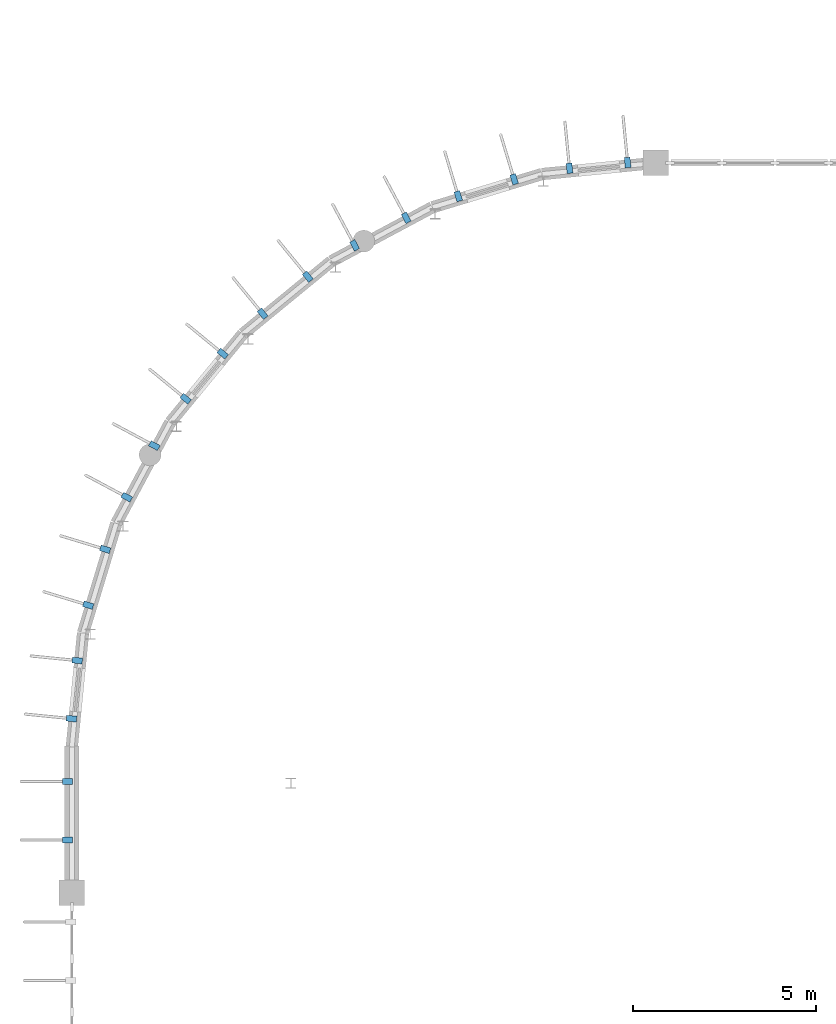
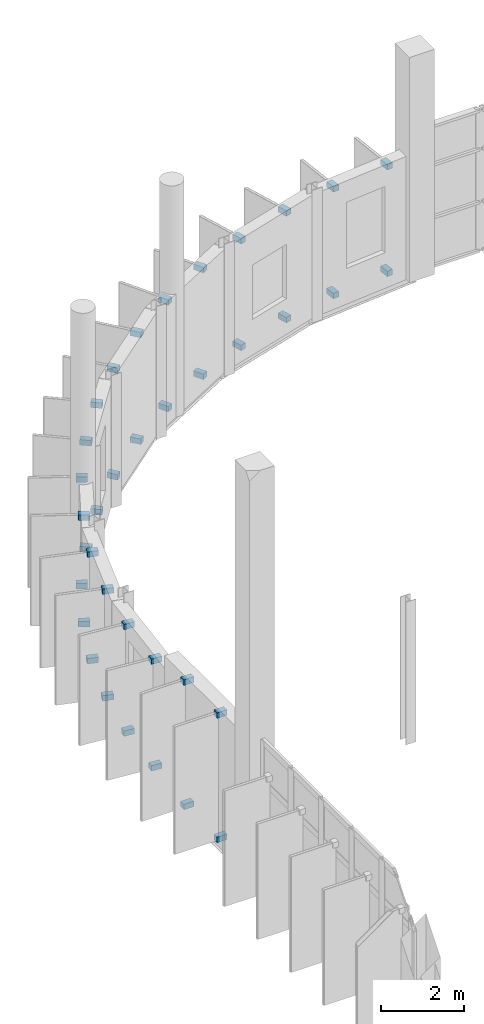
# One storey, part 58 of 66: 36 discrete accessories.
"""IFC4 building model written with IfcOpenShell, lengths in metres."""

from ifc_helpers import new_model, si_unit, direction, frame, origin, origin_2d, place, context, subcontext, project, spatial, rectangle, extrude, material, type_object, element, save


model = new_model("IFC4")

# Units and contexts
model_context = context("Model", 3, precision=1e-05, world=origin(), true_north=direction((0.0, 1.0)))
body_context = subcontext(model_context, "Body", "Model", "MODEL_VIEW")
ifc_project = project(units=[si_unit("LENGTHUNIT", "METRE"), si_unit("AREAUNIT", "SQUARE_METRE"), si_unit("VOLUMEUNIT", "CUBIC_METRE"), si_unit("PLANEANGLEUNIT", "RADIAN"), si_unit("MASSUNIT", "GRAM", prefix="KILO")], contexts=[model_context])

# Site, building, storey
site_placement = place(None, origin())
site = spatial("IfcSite", under=ifc_project, at=site_placement, CompositionType="ELEMENT")
building_placement = place(site_placement, origin())
building = spatial("IfcBuilding", under=site, at=building_placement, Name="Drelvana Railside Aquatics Centre", CompositionType="ELEMENT")
storey_placement = place(building_placement, frame((0.0, 0.0, 10.199951171875)))
storey = spatial("IfcBuildingStorey", under=building, at=storey_placement, Name="L02", CompositionType="ELEMENT", Elevation=10.199951171875)

# Discrete accessories
ifc_material = material(Name="Stainless steel 316 facade bracket", Category="steel")
discrete_accessory_type = type_object("IfcDiscreteAccessoryType", Name="ACC-BRACKET-FIN", PredefinedType="BRACKET", material=ifc_material)
for number, where, z_axis, x_axis, name in (
    (1, (-0.114990234375, 65.449951171875, 0.1650390625), (0.0, 0.0, 1.0), (-1.0, 0.0, 0.0), "Shading fin bracket BK-0551"),
    (2, (-0.114990234375, 65.449951171875, 3.8251953125), (0.0, 0.0, 1.0), (-1.0, 0.0, 0.0), "Shading fin bracket BK-0552"),
    (3, (-0.114990234375, 67.050048828125, 0.1650390625), (0.0, 0.0, 1.0), (-1.0, 0.0, 0.0), "Shading fin bracket BK-0553"),
    (4, (-0.114990234375, 67.050048828125, 3.8251953125), (0.0, 0.0, 1.0), (-1.0, 0.0, 0.0), "Shading fin bracket BK-0554"),
    (5, (15.22705078125, 84.00927734375, 0.21533203125), (0.0, 0.0, 1.0), (-0.09801714033, 0.995184726672, 0.0), "Shading fin bracket BK-0695"),
    (6, (15.22705078125, 84.00927734375, 3.35498046875), (0.0, 0.0, 1.0), (-0.09801714033, 0.995184726672, 0.0), "Shading fin bracket BK-0696"),
    (7, (13.634765625, 83.8525390625, 0.21533203125), (0.0, 0.0, 1.0), (-0.09801714033, 0.995184726672, 0.0), "Shading fin bracket BK-0697"),
    (8, (13.634765625, 83.8525390625, 3.35498046875), (0.0, 0.0, 1.0), (-0.09801714033, 0.995184726672, 0.0), "Shading fin bracket BK-0698"),
    (9, (12.11865234375, 83.55078125, 0.21533203125), (0.0, 0.0, 1.0), (-0.290284677254, 0.956940335732, 0.0), "Shading fin bracket BK-0711"),
    (10, (12.11865234375, 83.55078125, 3.35498046875), (0.0, 0.0, 1.0), (-0.290284677254, 0.956940335732, 0.0), "Shading fin bracket BK-0712"),
    (11, (10.587646484375, 83.08642578125, 0.21533203125), (0.0, 0.0, 1.0), (-0.290284677254, 0.956940335732, 0.0), "Shading fin bracket BK-0713"),
    (12, (10.587646484375, 83.08642578125, 3.35498046875), (0.0, 0.0, 1.0), (-0.290284677254, 0.956940335732, 0.0), "Shading fin bracket BK-0714"),
    (13, (9.159423828125, 82.494873046875, 0.21533203125), (0.0, 0.0, 1.0), (-0.471396736826, 0.881921264348, 0.0), "Shading fin bracket BK-0727"),
    (14, (9.159423828125, 82.494873046875, 3.35498046875), (0.0, 0.0, 1.0), (-0.471396736826, 0.881921264348, 0.0), "Shading fin bracket BK-0728"),
    (15, (7.748291015625, 81.740478515625, 0.21533203125), (0.0, 0.0, 1.0), (-0.471396736826, 0.881921264348, 0.0), "Shading fin bracket BK-0729"),
    (16, (7.748291015625, 81.740478515625, 3.35498046875), (0.0, 0.0, 1.0), (-0.471396736826, 0.881921264348, 0.0), "Shading fin bracket BK-0730"),
    (17, (6.463134765625, 80.8818359375, 0.21533203125), (0.0, 0.0, 1.0), (-0.634393284164, 0.773010453363, 0.0), "Shading fin bracket BK-0743"),
    (18, (6.463134765625, 80.8818359375, 3.35498046875), (0.0, 0.0, 1.0), (-0.634393284164, 0.773010453363, 0.0), "Shading fin bracket BK-0744"),
    (19, (5.226318359375, 79.86669921875, 0.21533203125), (0.0, 0.0, 1.0), (-0.634393284164, 0.773010453363, 0.0), "Shading fin bracket BK-0745"),
    (20, (5.226318359375, 79.86669921875, 3.35498046875), (0.0, 0.0, 1.0), (-0.634393284164, 0.773010453363, 0.0), "Shading fin bracket BK-0746"),
    (21, (4.13330078125, 78.773681640625, 0.21533203125), (0.0, 0.0, 1.0), (-0.773010453363, 0.634393284164, 0.0), "Shading fin bracket BK-0759"),
    (22, (4.13330078125, 78.773681640625, 3.35498046875), (0.0, 0.0, 1.0), (-0.773010453363, 0.634393284164, 0.0), "Shading fin bracket BK-0760"),
    (23, (3.1181640625, 77.536865234375, 0.21533203125), (0.0, 0.0, 1.0), (-0.773010453363, 0.634393284164, 0.0), "Shading fin bracket BK-0761"),
    (24, (3.1181640625, 77.536865234375, 3.35498046875), (0.0, 0.0, 1.0), (-0.773010453363, 0.634393284164, 0.0), "Shading fin bracket BK-0762"),
    (25, (2.259521484375, 76.251708984375, 0.21533203125), (0.0, 0.0, 1.0), (-0.881921264348, 0.471396736826, 0.0), "Shading fin bracket BK-0775"),
    (26, (2.259521484375, 76.251708984375, 3.35498046875), (0.0, 0.0, 1.0), (-0.881921264348, 0.471396736826, 0.0), "Shading fin bracket BK-0776"),
    (27, (1.505126953125, 74.840576171875, 0.21533203125), (0.0, 0.0, 1.0), (-0.881921264348, 0.471396736826, 0.0), "Shading fin bracket BK-0777"),
    (28, (1.505126953125, 74.840576171875, 3.35498046875), (0.0, 0.0, 1.0), (-0.881921264348, 0.471396736826, 0.0), "Shading fin bracket BK-0778"),
    (29, (0.91357421875, 73.412353515625, 0.21533203125), (0.0, 0.0, 1.0), (-0.956940335732, 0.290284677254, 0.0), "Shading fin bracket BK-0791"),
    (30, (0.91357421875, 73.412353515625, 3.35498046875), (0.0, 0.0, 1.0), (-0.956940335732, 0.290284677254, 0.0), "Shading fin bracket BK-0792"),
    (31, (0.44921875, 71.88134765625, 0.21533203125), (0.0, 0.0, 1.0), (-0.956940335732, 0.290284677254, 0.0), "Shading fin bracket BK-0793"),
    (32, (0.44921875, 71.88134765625, 3.35498046875), (0.0, 0.0, 1.0), (-0.956940335732, 0.290284677254, 0.0), "Shading fin bracket BK-0794"),
    (33, (0.1474609375, 70.365234375, 0.21533203125), (0.0, 0.0, 1.0), (-0.995184726672, 0.09801714033, 0.0), "Shading fin bracket BK-0807"),
    (34, (0.1474609375, 70.365234375, 3.35498046875), (0.0, 0.0, 1.0), (-0.995184726672, 0.09801714033, 0.0), "Shading fin bracket BK-0808"),
    (35, (-0.00927734375, 68.77294921875, 0.21533203125), (0.0, 0.0, 1.0), (-0.995184726672, 0.09801714033, 0.0), "Shading fin bracket BK-0809"),
    (36, (-0.00927734375, 68.77294921875, 3.35498046875), (0.0, 0.0, 1.0), (-0.995184726672, 0.09801714033, 0.0), "Shading fin bracket BK-0810"),
):
    element("IfcDiscreteAccessory", number, at=place(storey_placement, frame(where, z_axis=z_axis, x_axis=x_axis)), inside=storey, type_object=discrete_accessory_type, Name=name, PredefinedType="BRACKET", context=body_context, shape_type="SweptSolid", body=[
        extrude(rectangle(XDim=0.280029296875, YDim=0.159912109375, at=origin_2d()), origin(), (0.0, 0.0, 1.0), 0.159912109375),
    ])

save(model, "model.ifc")
